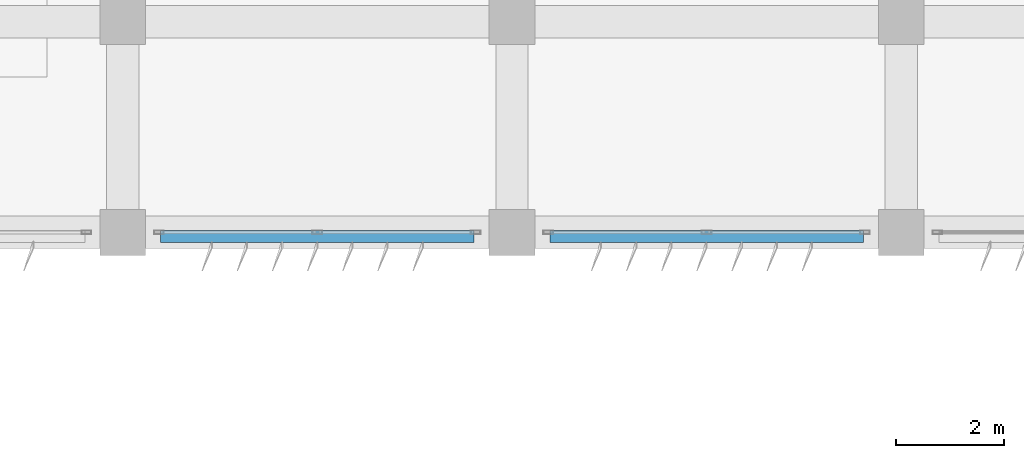
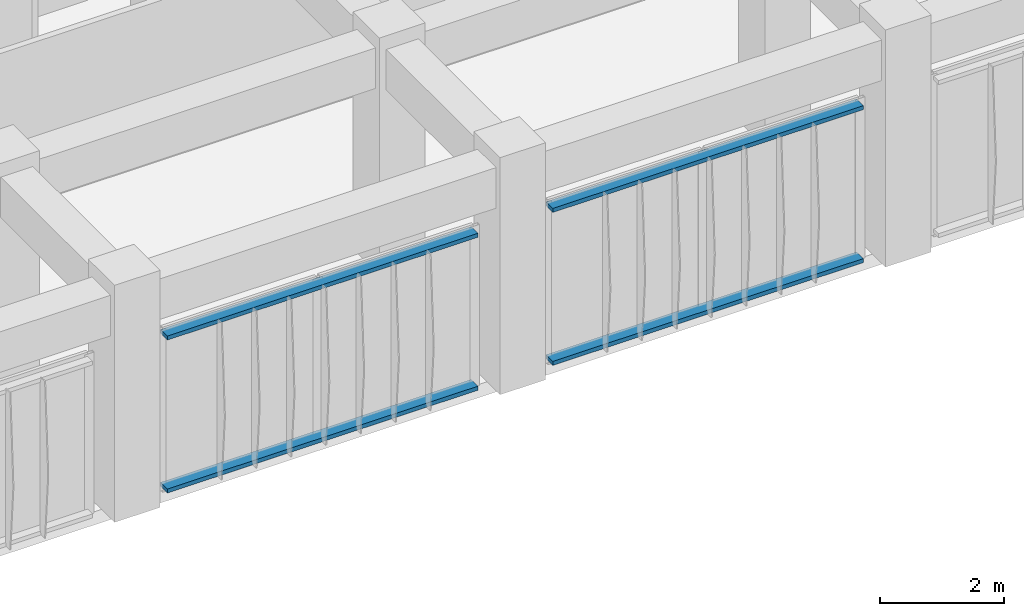
# One storey, part 39 of 55: 4 discrete accessories.
"""IFC4 building model written with IfcOpenShell, lengths in metres."""

import ifcopenshell
import ifcopenshell.guid

model = None  # the IFC model being written
_history = None  # IfcOwnerHistory: only IFC2X3 demands one
_inside = {}  # id of a spatial element -> (the spatial element, [elements in it])
_under = {}  # id of a project, library or spatial element -> (it, [spatial elements below it])
_declared = {}  # id of a project -> (the project, [libraries it declares])
_typed = {}  # id of a type object -> (the type object, [elements of that type])
_made_of = {}  # id of a material, layer set ... -> (it, [elements and type objects made of it])


def new_model(schema):
    """Start an empty IFC model of exactly this schema.

    Asked for "IFC4X3", IfcOpenShell would pick the latest addendum, in which some entities
    have other attributes; the version numbers below select the first issue.
    IFC2X3 requires an IfcOwnerHistory on every rooted entity: one is made here for all.
    """
    global model, _history
    if schema == "IFC4X3":
        model = ifcopenshell.file(schema_version=(4, 3, 0, 0))
    else:
        model = ifcopenshell.file(schema=schema)
    _inside.clear()
    _under.clear()
    _declared.clear()
    _typed.clear()
    _made_of.clear()
    _history = None
    if model.schema == "IFC2X3":
        org = make("IfcOrganization", Name="unknown")
        user = make(
            "IfcPersonAndOrganization",
            ThePerson=make("IfcPerson", FamilyName="unknown"),
            TheOrganization=org,
        )
        app = make(
            "IfcApplication",
            ApplicationDeveloper=org,
            Version="unknown",
            ApplicationFullName="unknown",
            ApplicationIdentifier="unknown",
        )
        _history = make(
            "IfcOwnerHistory",
            OwningUser=user,
            OwningApplication=app,
            ChangeAction="ADDED",
            CreationDate=0,
        )
    return model


def make(cls, **values):
    """One entity of the class cls with the attributes given. An attribute that is None is left unset."""
    return model.create_entity(
        cls, **{name: value for name, value in values.items() if value is not None}
    )


def rooted(cls, **values):
    """An entity with a GlobalId (a new one), such as an element, a storey or a relation."""
    return make(cls, GlobalId=ifcopenshell.guid.new(), OwnerHistory=_history, **values)


def si_unit(unit_type, name, prefix=None):
    """IfcSIUnit, for example si_unit("LENGTHUNIT", "METRE", prefix="MILLI")."""
    return make("IfcSIUnit", UnitType=unit_type, Prefix=prefix, Name=name)


def assignment(units):
    """IfcUnitAssignment: the units of a project."""
    return None if units is None else make("IfcUnitAssignment", Units=units)


def point(xyz):
    """IfcCartesianPoint."""
    return None if xyz is None else make("IfcCartesianPoint", Coordinates=xyz)


def direction(xyz):
    """IfcDirection."""
    return None if xyz is None else make("IfcDirection", DirectionRatios=xyz)


def frame(location, z_axis=None, x_axis=None):
    """IfcAxis2Placement3D, a coordinate frame: its origin and axes. An axis left out is left unset."""
    return make(
        "IfcAxis2Placement3D",
        Location=point(location),
        Axis=direction(z_axis),
        RefDirection=direction(x_axis),
    )


def frame_2d(location, x_axis=None):
    """IfcAxis2Placement2D, a coordinate frame in the plane: its origin and x axis."""
    return make(
        "IfcAxis2Placement2D", Location=point(location), RefDirection=direction(x_axis)
    )


def origin():
    """The frame at (0, 0, 0) with its axes left unset."""
    return frame((0.0, 0.0, 0.0))


def origin_2d():
    """The frame at (0, 0) in the plane with its x axis left unset."""
    return frame_2d((0.0, 0.0))


def place(relative_to, where):
    """IfcLocalPlacement: puts the frame where relative to a parent placement (None: the world)."""
    return make(
        "IfcLocalPlacement", PlacementRelTo=relative_to, RelativePlacement=where
    )


def context(
    kind, dimensions, precision=None, world=None, true_north=None, identifier=None
):
    """IfcGeometricRepresentationContext, for example the 3D "Model" context."""
    return make(
        "IfcGeometricRepresentationContext",
        ContextIdentifier=identifier,
        ContextType=kind,
        CoordinateSpaceDimension=dimensions,
        Precision=precision,
        WorldCoordinateSystem=world,
        TrueNorth=true_north,
    )


def subcontext(parent, identifier, kind, view, scale=None):
    """IfcGeometricRepresentationSubContext, for example "Body" below "Model"."""
    return make(
        "IfcGeometricRepresentationSubContext",
        ContextIdentifier=identifier,
        ContextType=kind,
        ParentContext=parent,
        TargetScale=scale,
        TargetView=view,
    )


def project(units=None, contexts=None):
    """IfcProject with its units and contexts."""
    return rooted(
        "IfcProject",
        Name="project",
        RepresentationContexts=contexts,
        UnitsInContext=assignment(units),
    )


def spatial(cls, under=None, at=None, **own):
    """A site, building, storey or space (cls), placed at a placement, below another one or the project."""
    s = rooted(cls, ObjectPlacement=at, **own)
    if under is not None:
        _under.setdefault(under.id(), (under, []))[1].append(s)
    return s


def profile(cls, at=None, kind="AREA", **sizes):
    """A parametric profile (cls). Its sizes go by their IFC names, for example OverallWidth=200.0."""
    return make(cls, ProfileType=kind, Position=at, **sizes)


def rectangle(**sizes):
    """IfcRectangleProfileDef."""
    return profile("IfcRectangleProfileDef", **sizes)


def extrude(swept, where, along, depth):
    """IfcExtrudedAreaSolid: the profile swept, set in the frame where, extruded along a direction by depth."""
    return make(
        "IfcExtrudedAreaSolid",
        SweptArea=swept,
        Position=where,
        ExtrudedDirection=direction(along),
        Depth=depth,
    )


def shape(context_of_items, identifier, shape_type, items):
    """IfcShapeRepresentation: the items that make up one representation, for example the "Body"."""
    return make(
        "IfcShapeRepresentation",
        ContextOfItems=context_of_items,
        RepresentationIdentifier=identifier,
        RepresentationType=shape_type,
        Items=items,
    )


def material(Name=None, Category=None):
    """IfcMaterial."""
    return make("IfcMaterial", Name=Name, Category=Category)


def made_of(thing, what):
    """Note that an element or type object is made of a material, layer set ...; save() writes the relation."""
    if what is not None:
        _made_of.setdefault(what.id(), (what, []))[1].append(thing)
    return thing


def type_object(cls, material=None, **own):
    """A type object (cls), such as IfcWallType, which elements share."""
    return made_of(rooted(cls, **own), material)


def element(
    cls,
    number,
    at=None,
    inside=None,
    cuts=None,
    type_object=None,
    material=None,
    context=None,
    identifier="Body",
    shape_type=None,
    held_by="IfcProductDefinitionShape",
    body=None,
    shapes=None,
    **own,
):
    """One element of the class cls, such as IfcWall. Its Tag is "e" and its number.

    at: its placement. inside: the storey or other place that contains it. cuts: it is an
    opening in that element (IfcRelVoidsElement). A single representation is given by context,
    identifier, shape_type and body (its items); several are given by shapes. held_by: the class
    of the entity that holds the representations. save() writes the other relations.
    """
    e = rooted(cls, Tag="e%d" % number, ObjectPlacement=at, **own)
    if body is not None:
        shapes = [shape(context, identifier, shape_type, body)]
    if shapes is not None:
        e.Representation = make(held_by, Representations=shapes)
    if inside is not None:
        _inside.setdefault(inside.id(), (inside, []))[1].append(e)
    if cuts is not None:
        rooted(
            "IfcRelVoidsElement", RelatingBuildingElement=cuts, RelatedOpeningElement=e
        )
    if type_object is not None:
        _typed.setdefault(type_object.id(), (type_object, []))[1].append(e)
    return made_of(e, material)


def aggregate(whole, parts):
    """IfcRelAggregates: a whole, such as a stair, and the parts it consists of."""
    return rooted("IfcRelAggregates", RelatingObject=whole, RelatedObjects=parts)


def save(model, path):
    """Write the relations noted so far, then the file.

    IfcRelAggregates (storeys below a building ...), IfcRelContainedInSpatialStructure (elements
    in a storey), IfcRelDefinesByType, IfcRelAssociatesMaterial and IfcRelDeclares: one each for
    every whole, place, type object, material and project.
    """
    for whole, parts in _under.values():
        aggregate(whole, parts)
    for where, things in _inside.values():
        rooted(
            "IfcRelContainedInSpatialStructure",
            RelatedElements=things,
            RelatingStructure=where,
        )
    for kind, things in _typed.values():
        rooted("IfcRelDefinesByType", RelatedObjects=things, RelatingType=kind)
    for what, things in _made_of.values():
        rooted("IfcRelAssociatesMaterial", RelatedObjects=things, RelatingMaterial=what)
    for by, libraries in _declared.values():
        rooted("IfcRelDeclares", RelatingContext=by, RelatedDefinitions=libraries)
    model.write(path)


model = new_model("IFC4")

# Units and contexts
model_context = context("Model", 3, precision=1e-05, world=origin(), true_north=direction((0.0, 1.0)))
body_context = subcontext(model_context, "Body", "Model", "MODEL_VIEW")
ifc_project = project(units=[si_unit("LENGTHUNIT", "METRE"), si_unit("AREAUNIT", "SQUARE_METRE"), si_unit("VOLUMEUNIT", "CUBIC_METRE"), si_unit("PLANEANGLEUNIT", "RADIAN"), si_unit("MASSUNIT", "GRAM", prefix="KILO")], contexts=[model_context])

# Site, building, storey
site_placement = place(None, origin())
site = spatial("IfcSite", under=ifc_project, at=site_placement, CompositionType="ELEMENT")
building_placement = place(site_placement, origin())
building = spatial("IfcBuilding", under=site, at=building_placement, Name="Kazehaya Institute of Natural Sciences", CompositionType="ELEMENT")
storey_placement = place(building_placement, frame((0.0, 0.0, 15.1201171875)))
storey = spatial("IfcBuildingStorey", under=building, at=storey_placement, Name="L03", CompositionType="ELEMENT", Elevation=15.1201171875)

# Discrete accessories
ifc_material = material(Name="Aluminium alloy A6063S-T5", Category="aluminium")
discrete_accessory_type = type_object("IfcDiscreteAccessoryType", Name="ACC-BRK-01", PredefinedType="BRACKET", material=ifc_material)
for number, where, z_axis, x_axis, name in (
    (1, (108.60009765625, 10.02490234375, 0.039794921875), (0.0, 0.0, 1.0), (-1.0, 0.0, 0.0), "L03 fin support outrigger rail 1"),
    (2, (108.60009765625, 10.02490234375, 3.059814453125), (0.0, 0.0, 1.0), (-1.0, 0.0, 0.0), "L03 fin support outrigger rail 2"),
    (3, (101.39990234375, 10.02490234375, 0.039794921875), (0.0, 0.0, 1.0), (-1.0, 0.0, 0.0), "L03 fin support outrigger rail 1"),
    (4, (101.39990234375, 10.02490234375, 3.059814453125), (0.0, 0.0, 1.0), (-1.0, 0.0, 0.0), "L03 fin support outrigger rail 2"),
):
    element("IfcDiscreteAccessory", number, at=place(storey_placement, frame(where, z_axis=z_axis, x_axis=x_axis)), inside=storey, type_object=discrete_accessory_type, Name=name, PredefinedType="BRACKET", context=body_context, shape_type="SweptSolid", body=[
        extrude(rectangle(XDim=5.800048828125, YDim=0.219970703125, at=origin_2d()), origin(), (0.0, 0.0, 1.0), 0.080078125),
    ])

save(model, "model.ifc")
